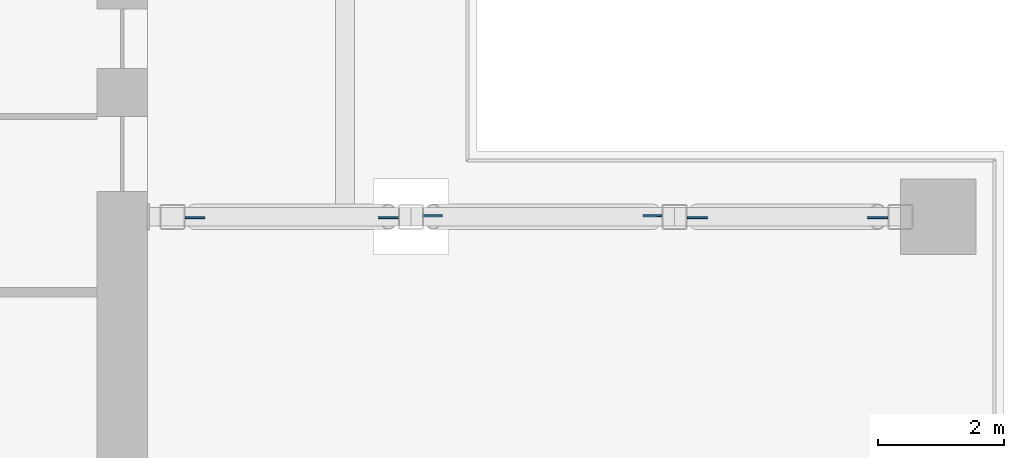
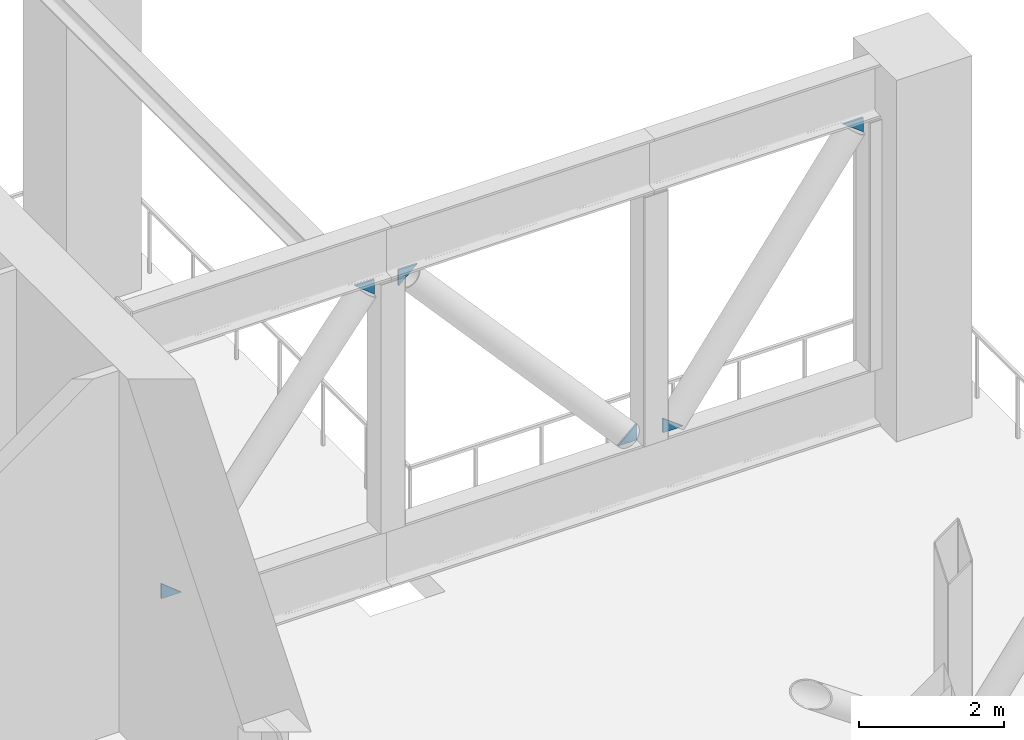
# One storey, part 15 of 23: 6 plates.
"""IFC4 building model written with IfcOpenShell, lengths in metres."""

from ifc_helpers import new_model, si_unit, direction, frame, origin, place, context, subcontext, project, spatial, polyline, outline, extrude, material, layer, layer_set, type_object, element, save


model = new_model("IFC4")

# Units and contexts
model_context = context("Model", 3, precision=1e-05, world=origin(), true_north=direction((0.0, 1.0)))
body_context = subcontext(model_context, "Body", "Model", "MODEL_VIEW")
ifc_project = project(units=[si_unit("LENGTHUNIT", "METRE"), si_unit("AREAUNIT", "SQUARE_METRE"), si_unit("VOLUMEUNIT", "CUBIC_METRE"), si_unit("PLANEANGLEUNIT", "RADIAN"), si_unit("MASSUNIT", "GRAM", prefix="KILO")], contexts=[model_context])

# Site, building, storey
site_placement = place(None, origin())
site = spatial("IfcSite", under=ifc_project, at=site_placement, CompositionType="ELEMENT")
building_placement = place(site_placement, origin())
building = spatial("IfcBuilding", under=site, at=building_placement, Name="Vermilion Ogive Tower", CompositionType="ELEMENT")
storey_placement = place(building_placement, frame((0.0, 0.0, 121.800048828125)))
storey = spatial("IfcBuildingStorey", under=building, at=storey_placement, Name="L31", CompositionType="ELEMENT", Elevation=121.800048828125)

# Plates
ifc_material = material(Name="Steel S355", Category="steel")
ifc_layer = layer(ifc_material, 0.030029296875)
ifc_layer_set = layer_set([ifc_layer], Name="Truss gusset plate 30")
plate_type = type_object("IfcPlateType", Name="Truss gusset plate 30", PredefinedType="USERDEFINED", material=ifc_layer_set)
for number, where, z_axis, x_axis, name in (
    (1, (13.199951171875, 12.60009765625, 1.25244140625), (0.0, 1.0, 0.0), (0.782860831634, 0.0, -0.622196848508), "Gusset plate L31-TR-EWE+12.6-D0A"),
    (2, (16.60009765625, 12.60009765625, 4.947509765625), (0.0, 1.0, 0.0), (-0.782860831634, 0.0, 0.622196848508), "Gusset plate L31-TR-EWE+12.6-D0B"),
):
    element("IfcPlate", number, at=place(storey_placement, frame(where, z_axis=z_axis, x_axis=x_axis)), inside=storey, type_object=plate_type, Name=name, ObjectType="GUSSET PLATE", PredefinedType="USERDEFINED", context=body_context, shape_type="SweptSolid", body=[
        extrude(outline(polyline([(0.0, 0.0), (0.40572594807449586, 0.0), (0.15706824740175754, 0.19762648923567366), (0.0, 0.0)])), origin(), (0.0, 0.0, -1.0), 0.030029296875),
    ])
for number, where, z_axis, x_axis, name in (
    (3, (17.0, 12.60009765625, 4.928955078125), (0.0, -1.0, 0.0), (0.744280627096, 0.0, 0.667867013805), "Gusset plate L31-TR-EWE+12.6-D1A"),
    (4, (20.800048828125, 12.60009765625, 1.27099609375), (0.0, -1.0, 0.0), (-0.744280627096, 0.0, -0.667867013805), "Gusset plate L31-TR-EWE+12.6-D1B"),
):
    element("IfcPlate", number, at=place(storey_placement, frame(where, z_axis=z_axis, x_axis=x_axis)), inside=storey, type_object=plate_type, Name=name, ObjectType="GUSSET PLATE", PredefinedType="USERDEFINED", context=body_context, shape_type="SweptSolid", body=[
        extrude(outline(polyline([(0.0, 0.0), (0.40576355494188177, 0.0), (0.18098935188567533, 0.20169714259691926), (0.0, 0.0)])), origin(), (0.0, 0.0, -1.0), 0.030029296875),
    ])
for number, where, z_axis, x_axis, name in (
    (5, (21.199951171875, 12.60009765625, 1.2421875), (0.0, 1.0, 0.0), (0.802233221274, 0.0, -0.59701076932), "Gusset plate L31-TR-EWE+12.6-D2A"),
    (6, (24.39990234375, 12.60009765625, 4.957763671875), (0.0, 1.0, 0.0), (-0.802233221274, 0.0, 0.59701076932), "Gusset plate L31-TR-EWE+12.6-D2B"),
):
    element("IfcPlate", number, at=place(storey_placement, frame(where, z_axis=z_axis, x_axis=x_axis)), inside=storey, type_object=plate_type, Name=name, ObjectType="GUSSET PLATE", PredefinedType="USERDEFINED", context=body_context, shape_type="SweptSolid", body=[
        extrude(outline(polyline([(0.0, 0.0), (0.4056668865048626, -2.7755575615628914e-17), (0.14458854569473698, 0.19429085827730277), (0.0, 0.0)])), origin(), (0.0, 0.0, -1.0), 0.030029296875),
    ])

save(model, "model.ifc")
